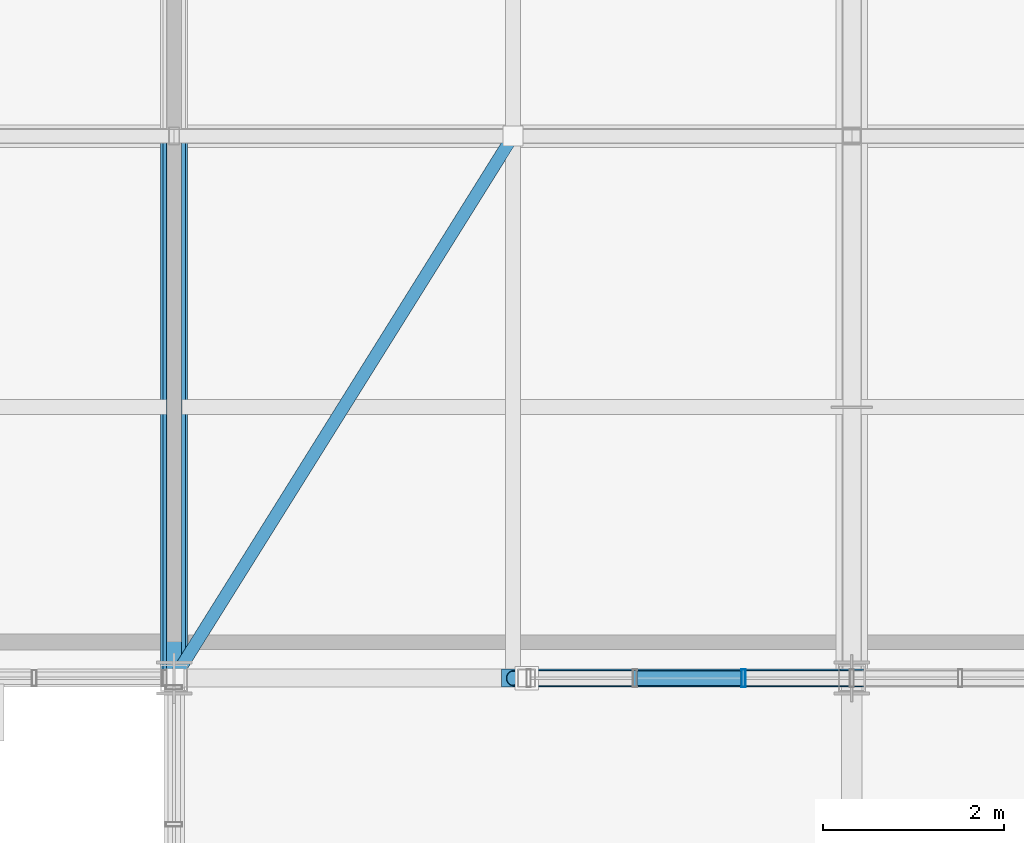
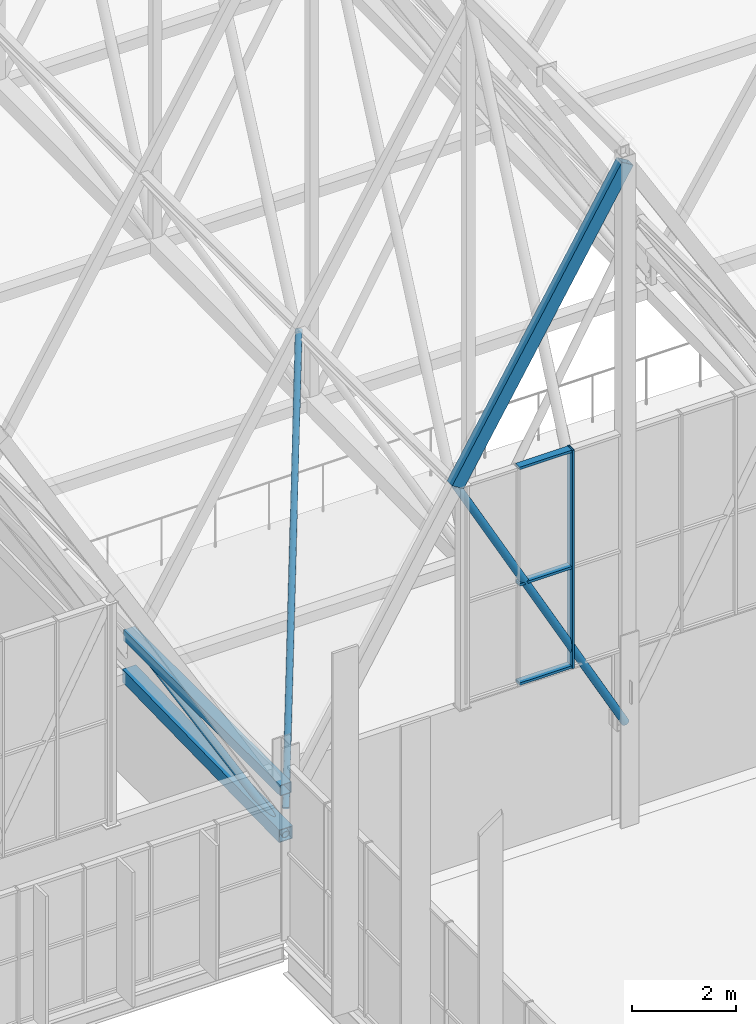
# One storey, part 140 of 324: 10 members, 1 element without a shape of its own.
"""IFC4 building model written with IfcOpenShell, lengths in metres."""

import ifcopenshell
import ifcopenshell.guid

model = None  # the IFC model being written
_history = None  # IfcOwnerHistory: only IFC2X3 demands one
_inside = {}  # id of a spatial element -> (the spatial element, [elements in it])
_under = {}  # id of a project, library or spatial element -> (it, [spatial elements below it])
_declared = {}  # id of a project -> (the project, [libraries it declares])
_typed = {}  # id of a type object -> (the type object, [elements of that type])
_made_of = {}  # id of a material, layer set ... -> (it, [elements and type objects made of it])


def new_model(schema):
    """Start an empty IFC model of exactly this schema.

    Asked for "IFC4X3", IfcOpenShell would pick the latest addendum, in which some entities
    have other attributes; the version numbers below select the first issue.
    IFC2X3 requires an IfcOwnerHistory on every rooted entity: one is made here for all.
    """
    global model, _history
    if schema == "IFC4X3":
        model = ifcopenshell.file(schema_version=(4, 3, 0, 0))
    else:
        model = ifcopenshell.file(schema=schema)
    _inside.clear()
    _under.clear()
    _declared.clear()
    _typed.clear()
    _made_of.clear()
    _history = None
    if model.schema == "IFC2X3":
        org = make("IfcOrganization", Name="unknown")
        user = make(
            "IfcPersonAndOrganization",
            ThePerson=make("IfcPerson", FamilyName="unknown"),
            TheOrganization=org,
        )
        app = make(
            "IfcApplication",
            ApplicationDeveloper=org,
            Version="unknown",
            ApplicationFullName="unknown",
            ApplicationIdentifier="unknown",
        )
        _history = make(
            "IfcOwnerHistory",
            OwningUser=user,
            OwningApplication=app,
            ChangeAction="ADDED",
            CreationDate=0,
        )
    return model


def make(cls, **values):
    """One entity of the class cls with the attributes given. An attribute that is None is left unset."""
    return model.create_entity(
        cls, **{name: value for name, value in values.items() if value is not None}
    )


def rooted(cls, **values):
    """An entity with a GlobalId (a new one), such as an element, a storey or a relation."""
    return make(cls, GlobalId=ifcopenshell.guid.new(), OwnerHistory=_history, **values)


def si_unit(unit_type, name, prefix=None):
    """IfcSIUnit, for example si_unit("LENGTHUNIT", "METRE", prefix="MILLI")."""
    return make("IfcSIUnit", UnitType=unit_type, Prefix=prefix, Name=name)


def assignment(units):
    """IfcUnitAssignment: the units of a project."""
    return None if units is None else make("IfcUnitAssignment", Units=units)


def point(xyz):
    """IfcCartesianPoint."""
    return None if xyz is None else make("IfcCartesianPoint", Coordinates=xyz)


def direction(xyz):
    """IfcDirection."""
    return None if xyz is None else make("IfcDirection", DirectionRatios=xyz)


def frame(location, z_axis=None, x_axis=None):
    """IfcAxis2Placement3D, a coordinate frame: its origin and axes. An axis left out is left unset."""
    return make(
        "IfcAxis2Placement3D",
        Location=point(location),
        Axis=direction(z_axis),
        RefDirection=direction(x_axis),
    )


def frame_2d(location, x_axis=None):
    """IfcAxis2Placement2D, a coordinate frame in the plane: its origin and x axis."""
    return make(
        "IfcAxis2Placement2D", Location=point(location), RefDirection=direction(x_axis)
    )


def origin():
    """The frame at (0, 0, 0) with its axes left unset."""
    return frame((0.0, 0.0, 0.0))


def origin_2d():
    """The frame at (0, 0) in the plane with its x axis left unset."""
    return frame_2d((0.0, 0.0))


def place(relative_to, where):
    """IfcLocalPlacement: puts the frame where relative to a parent placement (None: the world)."""
    return make(
        "IfcLocalPlacement", PlacementRelTo=relative_to, RelativePlacement=where
    )


def context(
    kind, dimensions, precision=None, world=None, true_north=None, identifier=None
):
    """IfcGeometricRepresentationContext, for example the 3D "Model" context."""
    return make(
        "IfcGeometricRepresentationContext",
        ContextIdentifier=identifier,
        ContextType=kind,
        CoordinateSpaceDimension=dimensions,
        Precision=precision,
        WorldCoordinateSystem=world,
        TrueNorth=true_north,
    )


def subcontext(parent, identifier, kind, view, scale=None):
    """IfcGeometricRepresentationSubContext, for example "Body" below "Model"."""
    return make(
        "IfcGeometricRepresentationSubContext",
        ContextIdentifier=identifier,
        ContextType=kind,
        ParentContext=parent,
        TargetScale=scale,
        TargetView=view,
    )


def project(units=None, contexts=None):
    """IfcProject with its units and contexts."""
    return rooted(
        "IfcProject",
        Name="project",
        RepresentationContexts=contexts,
        UnitsInContext=assignment(units),
    )


def spatial(cls, under=None, at=None, **own):
    """A site, building, storey or space (cls), placed at a placement, below another one or the project."""
    s = rooted(cls, ObjectPlacement=at, **own)
    if under is not None:
        _under.setdefault(under.id(), (under, []))[1].append(s)
    return s


def profile(cls, at=None, kind="AREA", **sizes):
    """A parametric profile (cls). Its sizes go by their IFC names, for example OverallWidth=200.0."""
    return make(cls, ProfileType=kind, Position=at, **sizes)


def hollow_rectangle(**sizes):
    """IfcRectangleHollowProfileDef."""
    return profile("IfcRectangleHollowProfileDef", **sizes)


def hollow_circle(**sizes):
    """IfcCircleHollowProfileDef."""
    return profile("IfcCircleHollowProfileDef", **sizes)


def extrude(swept, where, along, depth):
    """IfcExtrudedAreaSolid: the profile swept, set in the frame where, extruded along a direction by depth."""
    return make(
        "IfcExtrudedAreaSolid",
        SweptArea=swept,
        Position=where,
        ExtrudedDirection=direction(along),
        Depth=depth,
    )


def shape(context_of_items, identifier, shape_type, items):
    """IfcShapeRepresentation: the items that make up one representation, for example the "Body"."""
    return make(
        "IfcShapeRepresentation",
        ContextOfItems=context_of_items,
        RepresentationIdentifier=identifier,
        RepresentationType=shape_type,
        Items=items,
    )


def material(Name=None, Category=None):
    """IfcMaterial."""
    return make("IfcMaterial", Name=Name, Category=Category)


def layer(
    of_material, thickness, ventilated=None, Name=None, Category=None, Priority=None
):
    """IfcMaterialLayer: one layer of a wall or slab, of a material (None: an air gap)."""
    return make(
        "IfcMaterialLayer",
        Material=of_material,
        LayerThickness=thickness,
        IsVentilated=ventilated,
        Name=Name,
        Category=Category,
        Priority=Priority,
    )


def layer_set(layers, Name=None):
    """IfcMaterialLayerSet."""
    return make("IfcMaterialLayerSet", MaterialLayers=layers, LayerSetName=Name)


def material_profile(
    of_material, cross_section, Name=None, Category=None, Priority=None
):
    """IfcMaterialProfile: a cross section and its material."""
    return make(
        "IfcMaterialProfile",
        Name=Name,
        Material=of_material,
        Profile=cross_section,
        Priority=Priority,
        Category=Category,
    )


def profile_set(profiles, Name=None, composite=None):
    """IfcMaterialProfileSet."""
    return make(
        "IfcMaterialProfileSet",
        Name=Name,
        MaterialProfiles=profiles,
        CompositeProfile=composite,
    )


def made_of(thing, what):
    """Note that an element or type object is made of a material, layer set ...; save() writes the relation."""
    if what is not None:
        _made_of.setdefault(what.id(), (what, []))[1].append(thing)
    return thing


def type_object(cls, material=None, **own):
    """A type object (cls), such as IfcWallType, which elements share."""
    return made_of(rooted(cls, **own), material)


def element(
    cls,
    number,
    at=None,
    inside=None,
    cuts=None,
    type_object=None,
    material=None,
    context=None,
    identifier="Body",
    shape_type=None,
    held_by="IfcProductDefinitionShape",
    body=None,
    shapes=None,
    **own,
):
    """One element of the class cls, such as IfcWall. Its Tag is "e" and its number.

    at: its placement. inside: the storey or other place that contains it. cuts: it is an
    opening in that element (IfcRelVoidsElement). A single representation is given by context,
    identifier, shape_type and body (its items); several are given by shapes. held_by: the class
    of the entity that holds the representations. save() writes the other relations.
    """
    e = rooted(cls, Tag="e%d" % number, ObjectPlacement=at, **own)
    if body is not None:
        shapes = [shape(context, identifier, shape_type, body)]
    if shapes is not None:
        e.Representation = make(held_by, Representations=shapes)
    if inside is not None:
        _inside.setdefault(inside.id(), (inside, []))[1].append(e)
    if cuts is not None:
        rooted(
            "IfcRelVoidsElement", RelatingBuildingElement=cuts, RelatedOpeningElement=e
        )
    if type_object is not None:
        _typed.setdefault(type_object.id(), (type_object, []))[1].append(e)
    return made_of(e, material)


def aggregate(whole, parts):
    """IfcRelAggregates: a whole, such as a stair, and the parts it consists of."""
    return rooted("IfcRelAggregates", RelatingObject=whole, RelatedObjects=parts)


def save(model, path):
    """Write the relations noted so far, then the file.

    IfcRelAggregates (storeys below a building ...), IfcRelContainedInSpatialStructure (elements
    in a storey), IfcRelDefinesByType, IfcRelAssociatesMaterial and IfcRelDeclares: one each for
    every whole, place, type object, material and project.
    """
    for whole, parts in _under.values():
        aggregate(whole, parts)
    for where, things in _inside.values():
        rooted(
            "IfcRelContainedInSpatialStructure",
            RelatedElements=things,
            RelatingStructure=where,
        )
    for kind, things in _typed.values():
        rooted("IfcRelDefinesByType", RelatedObjects=things, RelatingType=kind)
    for what, things in _made_of.values():
        rooted("IfcRelAssociatesMaterial", RelatedObjects=things, RelatingMaterial=what)
    for by, libraries in _declared.values():
        rooted("IfcRelDeclares", RelatingContext=by, RelatedDefinitions=libraries)
    model.write(path)


model = new_model("IFC4")

# Units and contexts
model_context = context("Model", 3, precision=1e-05, world=origin(), true_north=direction((0.0, 1.0)))
body_context = subcontext(model_context, "Body", "Model", "MODEL_VIEW")
ifc_project = project(units=[si_unit("LENGTHUNIT", "METRE"), si_unit("AREAUNIT", "SQUARE_METRE"), si_unit("VOLUMEUNIT", "CUBIC_METRE"), si_unit("PLANEANGLEUNIT", "RADIAN"), si_unit("MASSUNIT", "GRAM", prefix="KILO")], contexts=[model_context])

# Site, building, storey
site_placement = place(None, origin())
site = spatial("IfcSite", under=ifc_project, at=site_placement, CompositionType="ELEMENT")
building_placement = place(site_placement, origin())
building = spatial("IfcBuilding", under=site, at=building_placement, Name="Solvenia Promenade Tram Depot", CompositionType="ELEMENT")
storey_placement = place(building_placement, frame((0.0, 0.0, 4.5)))
storey = spatial("IfcBuildingStorey", under=building, at=storey_placement, Name="L01", CompositionType="ELEMENT", Elevation=4.5)

# Curtain wall, members
ifc_material_1 = material(Name="Anodized aluminium AW-6063 T6", Category="aluminium")
ifc_layer = layer(ifc_material_1, 0.14990234375, Name="Anodized aluminium AW-6063 T6", Category="aluminium")
ifc_layer_set = layer_set([ifc_layer], Name="Anodized aluminium AW-6063 T6")
curtain_wall_type = type_object("IfcCurtainWallType", Name="CW-Gable-1200", PredefinedType="NOTDEFINED", material=ifc_layer_set)
curtain_wall_placement = place(storey_placement, origin())
curtain_wall = element("IfcCurtainWall", 1, at=curtain_wall_placement, inside=storey, type_object=curtain_wall_type, Name="South Zigzag Gable 08 Peak Glazing", PredefinedType="NOTDEFINED")
ifc_material_profile_1 = material_profile(ifc_material_1, hollow_rectangle(XDim=0.199951171875, YDim=0.048095703125, WallThickness=0.00390625, at=origin_2d()), Name="ALU-M3", Category="aluminium")
ifc_profile_set_1 = profile_set([ifc_material_profile_1], Name="Anodized aluminium AW-6063 T6")
member_type_1 = type_object("IfcMemberType", Name="CWM-Mullion-3", PredefinedType="MULLION", material=ifc_profile_set_1)
member_1_placement = place(storey_placement, frame((111.300048828125, 66.0, 4.050048828125), z_axis=(0.0, 0.0, 1.0), x_axis=(0.0, 1.0, 0.0)))
member_1 = element("IfcMember", 2, at=member_1_placement, type_object=member_type_1, Name="CW-3 mullion 3", PredefinedType="MULLION", context=body_context, shape_type="SweptSolid", body=[
    extrude(hollow_rectangle(XDim=0.199951171875, YDim=0.048095703125, WallThickness=0.00390625, at=origin_2d()), origin(), (0.0, 0.0, 1.0), 5.099853515625),
])
ifc_material_profile_2 = material_profile(ifc_material_1, hollow_rectangle(XDim=0.159912109375, YDim=0.05810546875, WallThickness=0.00390625, at=origin_2d()), Name="ALU-T3", Category="aluminium")
ifc_profile_set_2 = profile_set([ifc_material_profile_2], Name="Anodized aluminium AW-6063 T6")
member_type_2 = type_object("IfcMemberType", Name="CWT-Transom-3", PredefinedType="USERDEFINED", material=ifc_profile_set_2)
member_2_placement = place(storey_placement, frame((110.1240234375, 66.0, 4.0791015625), z_axis=(1.0, 0.0, 0.0), x_axis=(0.0, 1.0, 0.0)))
member_2 = element("IfcMember", 3, at=member_2_placement, type_object=member_type_2, Name="CW-3 transom 2.1", ObjectType="TRANSOM", PredefinedType="USERDEFINED", context=body_context, shape_type="SweptSolid", body=[
    extrude(hollow_rectangle(XDim=0.159912109375, YDim=0.05810546875, WallThickness=0.00390625, at=origin_2d()), origin(), (0.0, 0.0, 1.0), 1.15185546875),
])
member_3_placement = place(storey_placement, frame((110.1240234375, 66.0, 6.39990234375), z_axis=(1.0, 0.0, 0.0), x_axis=(0.0, 1.0, 0.0)))
member_3 = element("IfcMember", 4, at=member_3_placement, type_object=member_type_2, Name="CW-3 transom 2.2", ObjectType="TRANSOM", PredefinedType="USERDEFINED", context=body_context, shape_type="SweptSolid", body=[
    extrude(hollow_rectangle(XDim=0.159912109375, YDim=0.05810546875, WallThickness=0.00390625, at=origin_2d()), origin(), (0.0, 0.0, 1.0), 1.15185546875),
])
member_4_placement = place(storey_placement, frame((110.1240234375, 66.0, 9.12109375), z_axis=(1.0, 0.0, 0.0), x_axis=(0.0, 1.0, 0.0)))
member_4 = element("IfcMember", 5, at=member_4_placement, type_object=member_type_2, Name="CW-3 transom 2.3", ObjectType="TRANSOM", PredefinedType="USERDEFINED", context=body_context, shape_type="SweptSolid", body=[
    extrude(hollow_rectangle(XDim=0.159912109375, YDim=0.05810546875, WallThickness=0.00390625, at=origin_2d()), origin(), (0.0, 0.0, 1.0), 1.15185546875),
])
aggregate(curtain_wall, [member_1, member_2, member_3, member_4])

# Members
ifc_material_2 = material(Name="Structural steel ASTM A500 Gr. C", Category="steel")
ifc_material_profile_3 = material_profile(ifc_material_2, hollow_rectangle(XDim=0.25, YDim=0.25, WallThickness=0.010009765625, at=origin_2d()), Name="HSS250x250x10", Category="steel")
ifc_profile_set_3 = profile_set([ifc_material_profile_3], Name="Structural steel ASTM A500 Gr. C")
member_type_3 = type_object("IfcMemberType", Name="Chord-HSS250x250x10", PredefinedType="CHORD", material=ifc_profile_set_3)
member_5_placement = place(storey_placement, frame((105.0, 66.0, 3.3798828125), z_axis=(0.0, 1.0, 0.0), x_axis=(-1.0, 0.0, 0.0)))
element("IfcMember", 6, at=member_5_placement, inside=storey, type_object=member_type_3, Name="Arched Truss T15 Upper Chord S01", PredefinedType="CHORD", context=body_context, shape_type="SweptSolid", body=[
    extrude(hollow_rectangle(XDim=0.25, YDim=0.25, WallThickness=0.010009765625, at=origin_2d()), origin(), (0.0, 0.0, 1.0), 6.0),
])
ifc_material_profile_4 = material_profile(ifc_material_2, hollow_rectangle(XDim=0.199951171875, YDim=0.300048828125, WallThickness=0.012451171875, at=origin_2d()), Name="HSS300x200x12.5", Category="steel")
ifc_profile_set_4 = profile_set([ifc_material_profile_4], Name="Structural steel ASTM A500 Gr. C")
member_type_4 = type_object("IfcMemberType", Name="Chord-HSS300x200x12", PredefinedType="CHORD", material=ifc_profile_set_4)
member_6_placement = place(storey_placement, frame((108.75, 66.0, 9.1787109375), z_axis=(0.514584433357, 0.0, 0.857439712718), x_axis=(0.0, 1.0, 0.0)))
element("IfcMember", 7, at=member_6_placement, inside=storey, type_object=member_type_4, Name="Zigzag Gable 08 West Upper Rafter", PredefinedType="CHORD", context=body_context, shape_type="SweptSolid", body=[
    extrude(hollow_rectangle(XDim=0.199951171875, YDim=0.300048828125, WallThickness=0.012451171875, at=origin_2d()), origin(), (0.0, 0.0, 1.0), 7.287353515625),
])
ifc_material_profile_5 = material_profile(ifc_material_2, hollow_rectangle(XDim=0.300048828125, YDim=0.300048828125, WallThickness=0.012451171875, at=origin_2d()), Name="HSS300x300x12.5", Category="steel")
ifc_profile_set_5 = profile_set([ifc_material_profile_5], Name="Structural steel ASTM A500 Gr. C")
member_type_5 = type_object("IfcMemberType", Name="Chord-HSS300x300x12", PredefinedType="CHORD", material=ifc_profile_set_5)
member_7_placement = place(storey_placement, frame((105.0, 66.0, 2.320068359375), z_axis=(0.0, 0.999779654873, 0.020991467363), x_axis=(-1.0, 0.0, 0.0)))
element("IfcMember", 8, at=member_7_placement, inside=storey, type_object=member_type_5, Name="Arched Truss T15 Bottom Chord S01", PredefinedType="CHORD", context=body_context, shape_type="SweptSolid", body=[
    extrude(hollow_rectangle(XDim=0.300048828125, YDim=0.300048828125, WallThickness=0.012451171875, at=origin_2d()), origin(), (0.0, 0.0, 1.0), 6.001220703125),
])
ifc_material_profile_6 = material_profile(ifc_material_2, hollow_circle(Radius=0.06982421875, WallThickness=0.00634765625, at=origin_2d()), Name="CHS139.7x6.3", Category="steel")
ifc_profile_set_6 = profile_set([ifc_material_profile_6], Name="Structural steel ASTM A500 Gr. C")
member_type_6 = type_object("IfcMemberType", Name="RoofBrace-CHS140x6", PredefinedType="BRACE", material=ifc_profile_set_6)
member_8_placement = place(storey_placement, frame((105.0, 66.0, 2.93017578125), z_axis=(0.397261161555, 0.635617858488, 0.661946755783), x_axis=(-0.847998304005, 0.529998940003, 0.0)))
element("IfcMember", 9, at=member_8_placement, inside=storey, type_object=member_type_6, Name="Roof Plan Wind Brace 015", PredefinedType="BRACE", context=body_context, shape_type="SweptSolid", body=[
    extrude(hollow_circle(Radius=0.06982421875, WallThickness=0.00634765625, at=origin_2d()), origin(), (0.0, 0.0, 1.0), 9.439697265625),
])
ifc_material_profile_7 = material_profile(ifc_material_2, hollow_circle(Radius=0.084228515625, WallThickness=0.008056640625, at=origin_2d()), Name="CHS168.3x8", Category="steel")
ifc_profile_set_7 = profile_set([ifc_material_profile_7], Name="Structural steel ASTM A500 Gr. C")
member_type_7 = type_object("IfcMemberType", Name="WebDiag-CHS168x8", PredefinedType="BRACE", material=ifc_profile_set_7)
member_9_placement = place(storey_placement, frame((105.0, 66.0, 2.320068359375), z_axis=(0.0, 0.984755712458, 0.173943056143), x_axis=(-1.0, 0.0, 0.0)))
element("IfcMember", 10, at=member_9_placement, inside=storey, type_object=member_type_7, Name="Arched Truss T15 Web Diagonal S01", PredefinedType="BRACE", context=body_context, shape_type="SweptSolid", body=[
    extrude(hollow_circle(Radius=0.084228515625, WallThickness=0.008056640625, at=origin_2d()), origin(), (0.0, 0.0, 1.0), 6.0927734375),
])
member_10_placement = place(storey_placement, frame((112.5, 66.0, 2.320068359375), z_axis=(-0.479731573224, 0.0, 0.877415305116), x_axis=(0.0, -1.0, 0.0)))
element("IfcMember", 11, at=member_10_placement, inside=storey, type_object=member_type_7, Name="Zigzag Gable 08 West Knee Strut", PredefinedType="BRACE", context=body_context, shape_type="SweptSolid", body=[
    extrude(hollow_circle(Radius=0.084228515625, WallThickness=0.008056640625, at=origin_2d()), origin(), (0.0, 0.0, 1.0), 7.81689453125),
])

save(model, "model.ifc")
